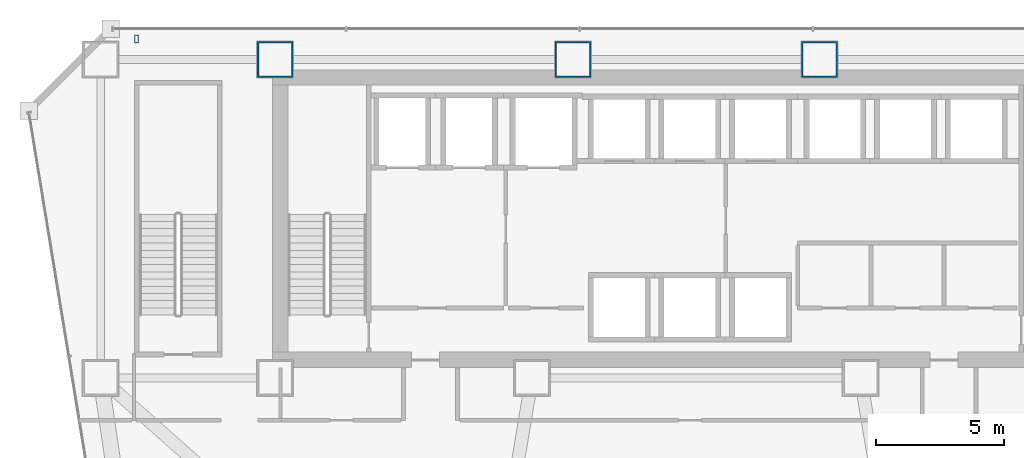
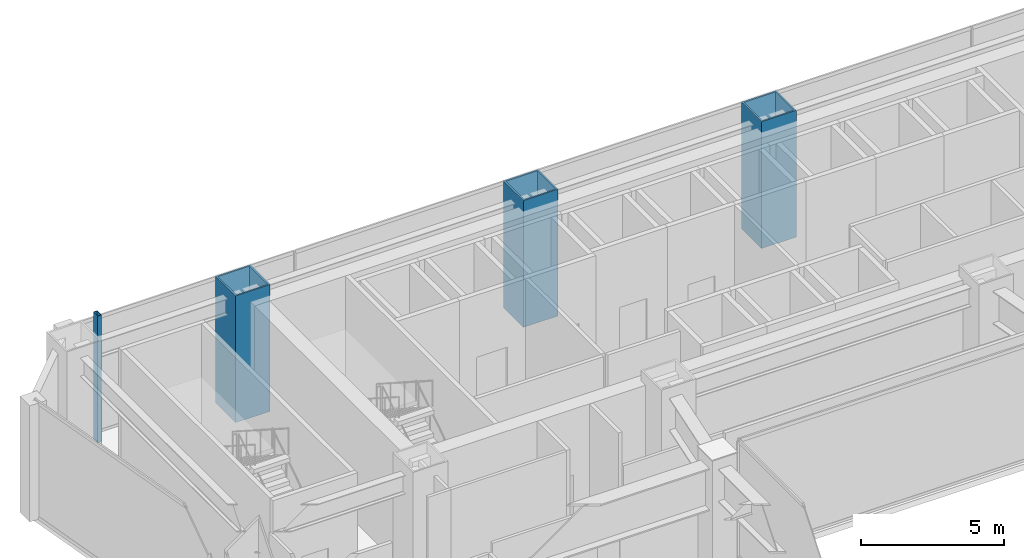
# One storey, part 2 of 42: 4 columns.
"""IFC4 building model written with IfcOpenShell, lengths in metres."""

from ifc_helpers import new_model, si_unit, direction, frame, origin, origin_2d, place, context, subcontext, project, spatial, hollow_rectangle, extrude, material, material_profile, profile_set, type_object, element, save


model = new_model("IFC4")

# Units and contexts
model_context = context("Model", 3, precision=1e-05, world=origin(), true_north=direction((0.0, 1.0)))
body_context = subcontext(model_context, "Body", "Model", "MODEL_VIEW")
ifc_project = project(units=[si_unit("LENGTHUNIT", "METRE"), si_unit("AREAUNIT", "SQUARE_METRE"), si_unit("VOLUMEUNIT", "CUBIC_METRE"), si_unit("PLANEANGLEUNIT", "RADIAN"), si_unit("MASSUNIT", "GRAM", prefix="KILO")], contexts=[model_context])

# Site, building, storey
site_placement = place(None, origin())
site = spatial("IfcSite", under=ifc_project, at=site_placement, CompositionType="ELEMENT")
building_placement = place(site_placement, origin())
building = spatial("IfcBuilding", under=site, at=building_placement, Name="Saevonmaru Cultural Tower", CompositionType="ELEMENT")
storey_placement = place(building_placement, frame((0.0, 0.0, 33.0)))
storey = spatial("IfcBuildingStorey", under=building, at=storey_placement, Name="L06", CompositionType="ELEMENT", Elevation=33.0)

# Columns
ifc_material_1 = material(Name="Steel HSA600 (600 MPa)", Category="steel")
ifc_material_profile_1 = material_profile(ifc_material_1, hollow_rectangle(XDim=1.39990234375, YDim=1.39990234375, WallThickness=0.06494140625, at=origin_2d()), Name="BOX-1400x1400x65")
ifc_profile_set_1 = profile_set([ifc_material_profile_1], Name="Steel HSA600 (600 MPa)")
column_type_1 = type_object("IfcColumnType", Name="COL-BOX-1400", PredefinedType="COLUMN", material=ifc_profile_set_1)
for number, where, z_axis, x_axis, name in (
    (1, (13.60009765625, 54.800048828125, 0.0), (0.0, 0.0, 1.0), (1.0, 0.0, 0.0), "L06 Column TC-N2N"),
    (2, (25.199951171875, 54.800048828125, 0.0), (0.0, 0.0, 1.0), (1.0, 0.0, 0.0), "L06 Column TC-N3N"),
    (3, (34.800048828125, 54.800048828125, 0.0), (0.0, 0.0, 1.0), (1.0, 0.0, 0.0), "L06 Column TC-N4N"),
):
    element("IfcColumn", number, at=place(storey_placement, frame(where, z_axis=z_axis, x_axis=x_axis)), inside=storey, type_object=column_type_1, Name=name, PredefinedType="COLUMN", context=body_context, shape_type="SweptSolid", body=[
        extrude(hollow_rectangle(XDim=1.39990234375, YDim=1.39990234375, WallThickness=0.06494140625, at=origin_2d()), origin(), (0.0, 0.0, 1.0), 5.39990234375),
    ])
ifc_material_2 = material(Name="Steel SM355", Category="steel")
ifc_material_profile_2 = material_profile(ifc_material_2, hollow_rectangle(XDim=0.14990234375, YDim=0.300048828125, WallThickness=0.010009765625, at=origin_2d()), Name="RHS-300x150x10")
ifc_profile_set_2 = profile_set([ifc_material_profile_2], Name="Steel SM355")
column_type_2 = type_object("IfcColumnType", Name="PIL-RHS-300", PredefinedType="PILASTER", material=ifc_profile_set_2)
column_placement = place(storey_placement, frame((8.199951171875, 55.60009765625, 0.0), z_axis=(0.0, 0.0, 1.0), x_axis=(1.0, 0.0, 0.0)))
element("IfcColumn", 4, at=column_placement, inside=storey, type_object=column_type_2, Name="L06 Art Deco Bronze-Clad Pilaster PIL-NW", PredefinedType="PILASTER", context=body_context, shape_type="SweptSolid", body=[
    extrude(hollow_rectangle(XDim=0.14990234375, YDim=0.300048828125, WallThickness=0.010009765625, at=origin_2d()), origin(), (0.0, 0.0, 1.0), 5.39990234375),
])

save(model, "model.ifc")
